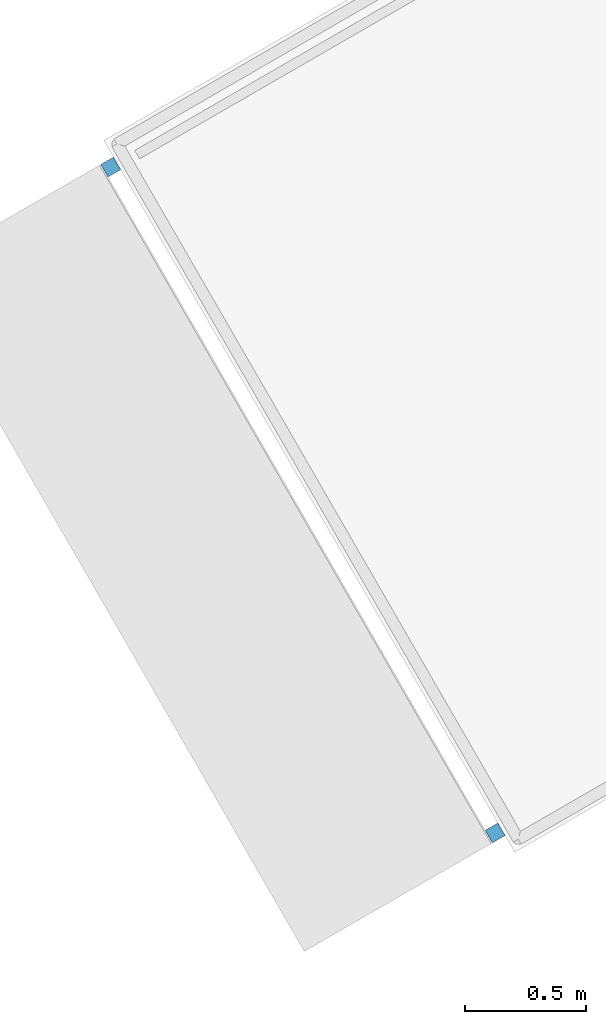
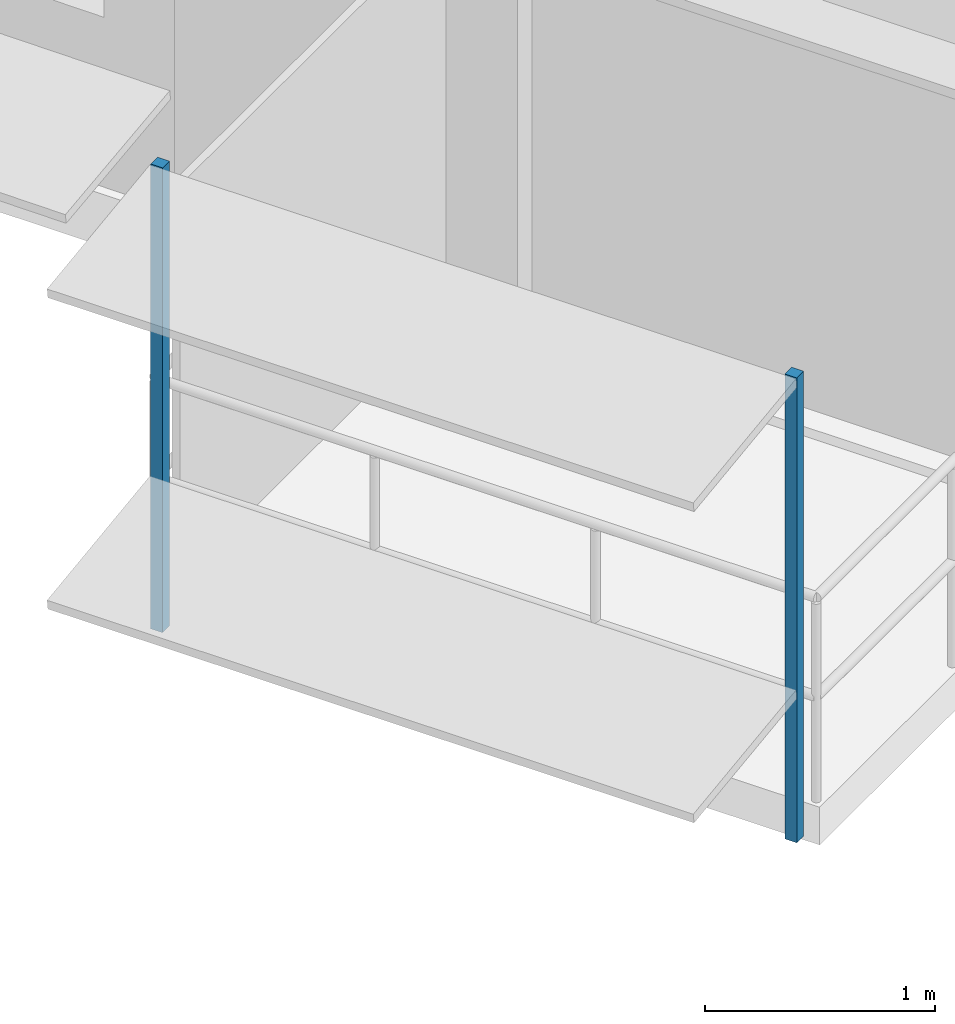
# One storey, part 10 of 15: 2 discrete accessories.
"""IFC4 building model written with IfcOpenShell, lengths in metres."""

from ifc_helpers import new_model, si_unit, direction, frame, origin, origin_2d, place, context, subcontext, project, spatial, rectangle, extrude, material, type_object, element, save


model = new_model("IFC4")

# Units and contexts
model_context = context("Model", 3, precision=1e-05, world=origin(), true_north=direction((0.0, 1.0)))
body_context = subcontext(model_context, "Body", "Model", "MODEL_VIEW")
ifc_project = project(units=[si_unit("LENGTHUNIT", "METRE"), si_unit("AREAUNIT", "SQUARE_METRE"), si_unit("VOLUMEUNIT", "CUBIC_METRE"), si_unit("PLANEANGLEUNIT", "RADIAN"), si_unit("MASSUNIT", "GRAM", prefix="KILO")], contexts=[model_context])

# Site, building, storey
site_placement = place(None, origin())
site = spatial("IfcSite", under=ifc_project, at=site_placement, CompositionType="ELEMENT")
building_placement = place(site_placement, origin())
building = spatial("IfcBuilding", under=site, at=building_placement, Name="Nakaniwa Court", CompositionType="ELEMENT")
storey_placement = place(building_placement, frame((0.0, 0.0, 216.300048828125)))
storey = spatial("IfcBuildingStorey", under=building, at=storey_placement, Name="L57", CompositionType="ELEMENT", Elevation=216.300048828125)

# Discrete accessories
ifc_material = material(Name="Black powder-coated steel bracket S275", Category="steel")
discrete_accessory_type = type_object("IfcDiscreteAccessoryType", Name="Black metal louvre bracket", PredefinedType="BRACKET", material=ifc_material)
for number, where, z_axis, x_axis, name in (
    (1, (56.412109375, 70.69580078125, -0.22998046875), (0.0, 0.0, 1.0), (0.499986396443, -0.866033257659, 0.0), "L57 louvre bracket 01 1"),
    (2, (58.00146484375, 67.9423828125, -0.22998046875), (0.0, 0.0, 1.0), (0.499986396443, -0.866033257659, 0.0), "L57 louvre bracket 01 2"),
):
    element("IfcDiscreteAccessory", number, at=place(storey_placement, frame(where, z_axis=z_axis, x_axis=x_axis)), inside=storey, type_object=discrete_accessory_type, Name=name, PredefinedType="BRACKET", context=body_context, shape_type="SweptSolid", body=[
        extrude(rectangle(XDim=0.06005859375, YDim=0.06005859375, at=origin_2d()), origin(), (0.0, 0.0, 1.0), 2.46337890625),
    ])

save(model, "model.ifc")
